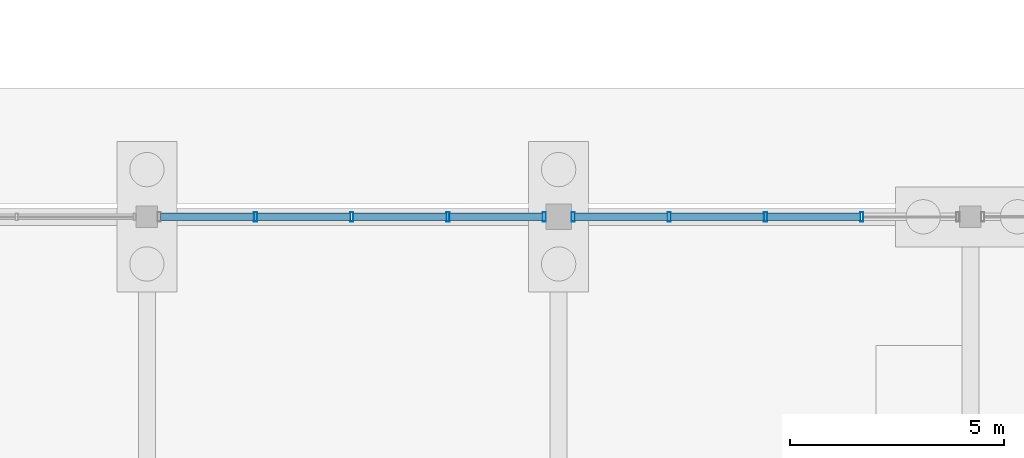
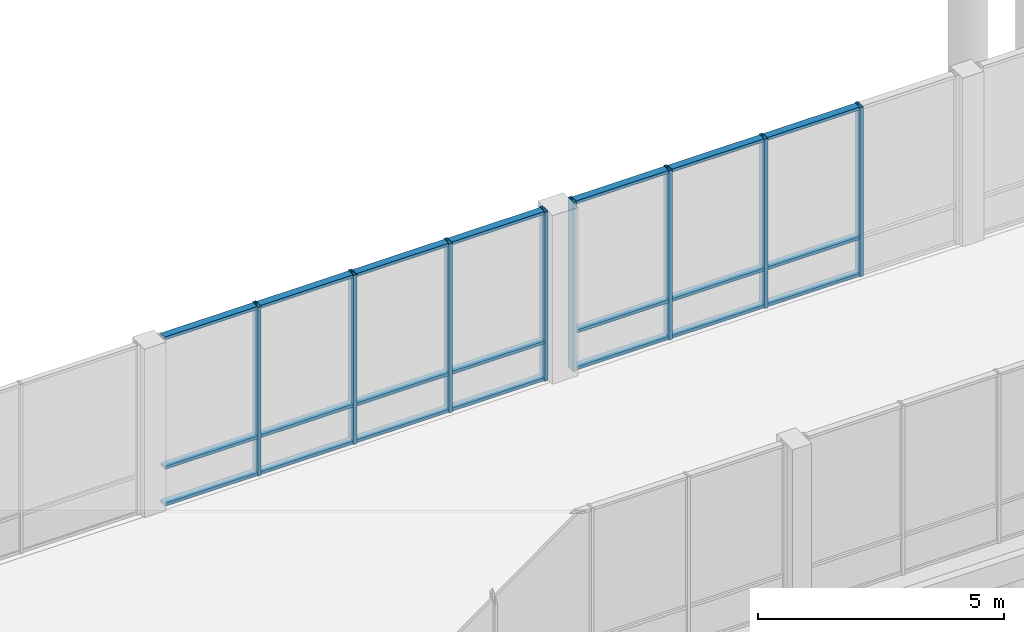
# One storey, part 59 of 104: 29 members, 2 elements without a shape of their own.
"""IFC4 building model written with IfcOpenShell, lengths in metres."""

from ifc_helpers import new_model, si_unit, direction, frame, origin, origin_2d, place, context, subcontext, project, spatial, hollow_rectangle, extrude, material, material_profile, profile_set, type_object, element, aggregate, save


model = new_model("IFC4")

# Units and contexts
model_context = context("Model", 3, precision=1e-05, world=origin(), true_north=direction((0.0, 1.0)))
body_context = subcontext(model_context, "Body", "Model", "MODEL_VIEW")
ifc_project = project(units=[si_unit("LENGTHUNIT", "METRE"), si_unit("AREAUNIT", "SQUARE_METRE"), si_unit("VOLUMEUNIT", "CUBIC_METRE"), si_unit("PLANEANGLEUNIT", "RADIAN"), si_unit("MASSUNIT", "GRAM", prefix="KILO")], contexts=[model_context])

# Site, building, storey
site_placement = place(None, origin())
site = spatial("IfcSite", under=ifc_project, at=site_placement, CompositionType="ELEMENT")
building_placement = place(site_placement, origin())
building = spatial("IfcBuilding", under=site, at=building_placement, Name="Hawrajan Terrace Health Centre", CompositionType="ELEMENT")
storey_placement = place(building_placement, origin())
storey = spatial("IfcBuildingStorey", under=building, at=storey_placement, Name="L00", CompositionType="ELEMENT", Elevation=0.0)

# Curtain wall, members
ifc_material_1 = material(Name="Anodized bronze aluminium and low-E solar glazing", Category="aluminium")
curtain_wall_type_1 = type_object("IfcCurtainWallType", Name="CW_Clerestory_SeriesG2", PredefinedType="USERDEFINED", material=ifc_material_1)
curtain_wall_1_placement = place(storey_placement, origin())
curtain_wall_1 = element("IfcCurtainWall", 1, at=curtain_wall_1_placement, inside=storey, type_object=curtain_wall_type_1, Name="Curtain wall CW-L00-041", ObjectType="UNITISED CURTAIN WALL", PredefinedType="USERDEFINED")
ifc_material_2 = material(Name="Anodized bronze aluminium 6063-T6", Category="aluminium")
ifc_material_profile_1 = material_profile(ifc_material_2, hollow_rectangle(XDim=0.074951171875, YDim=0.219970703125, WallThickness=0.0048828125, at=origin_2d()), Name="CW MUL 75x220")
ifc_profile_set_1 = profile_set([ifc_material_profile_1], Name="Anodized bronze aluminium 6063-T6")
member_type_1 = type_object("IfcMemberType", Name="CWMullion_75x220", PredefinedType="MULLION", material=ifc_profile_set_1)
member_1_placement = place(storey_placement, frame((83.931396484375, 36.800048828125, -0.0048828125), z_axis=(0.0, 0.0, 1.0), x_axis=(1.0, 0.0, 0.0)))
member_1 = element("IfcMember", 2, at=member_1_placement, type_object=member_type_1, Name="Mullion CW-L00-041-M2", PredefinedType="MULLION", context=body_context, shape_type="SweptSolid", body=[
    extrude(hollow_rectangle(XDim=0.074951171875, YDim=0.219970703125, WallThickness=0.0048828125, at=origin_2d()), origin(), (0.0, 0.0, 1.0), 4.2099609375),
])
member_2_placement = place(storey_placement, frame((86.175048828125, 36.800048828125, -0.0048828125), z_axis=(0.0, 0.0, 1.0), x_axis=(1.0, 0.0, 0.0)))
member_2 = element("IfcMember", 3, at=member_2_placement, type_object=member_type_1, Name="Mullion CW-L00-041-M3", PredefinedType="MULLION", context=body_context, shape_type="SweptSolid", body=[
    extrude(hollow_rectangle(XDim=0.074951171875, YDim=0.219970703125, WallThickness=0.0048828125, at=origin_2d()), origin(), (0.0, 0.0, 1.0), 4.2099609375),
])
member_3_placement = place(storey_placement, frame((88.418701171875, 36.800048828125, -0.0048828125), z_axis=(0.0, 0.0, 1.0), x_axis=(1.0, 0.0, 0.0)))
member_3 = element("IfcMember", 4, at=member_3_placement, type_object=member_type_1, Name="Mullion CW-L00-041-M4", PredefinedType="MULLION", context=body_context, shape_type="SweptSolid", body=[
    extrude(hollow_rectangle(XDim=0.074951171875, YDim=0.219970703125, WallThickness=0.0048828125, at=origin_2d()), origin(), (0.0, 0.0, 1.0), 4.2099609375),
])
member_4_placement = place(storey_placement, frame((90.66259765625, 36.800048828125, -0.0048828125), z_axis=(0.0, 0.0, 1.0), x_axis=(1.0, 0.0, 0.0)))
member_4 = element("IfcMember", 5, at=member_4_placement, type_object=member_type_1, Name="Mullion CW-L00-041-M5", PredefinedType="MULLION", context=body_context, shape_type="SweptSolid", body=[
    extrude(hollow_rectangle(XDim=0.074951171875, YDim=0.219970703125, WallThickness=0.0048828125, at=origin_2d()), origin(), (0.0, 0.0, 1.0), 4.2099609375),
])

curtain_wall_type_2 = type_object("IfcCurtainWallType", Name="CW_Bridge_SeriesJ1", PredefinedType="USERDEFINED", material=ifc_material_1)
curtain_wall_2_placement = place(storey_placement, origin())
curtain_wall_2 = element("IfcCurtainWall", 6, at=curtain_wall_2_placement, inside=storey, type_object=curtain_wall_type_2, Name="Curtain wall CW-L00-044", ObjectType="UNITISED CURTAIN WALL", PredefinedType="USERDEFINED")
member_5_placement = place(storey_placement, frame((91.33740234375, 36.800048828125, -0.0048828125), z_axis=(0.0, 0.0, 1.0), x_axis=(1.0, 0.0, 0.0)))
member_5 = element("IfcMember", 7, at=member_5_placement, type_object=member_type_1, Name="Mullion CW-L00-044-M1", PredefinedType="MULLION", context=body_context, shape_type="SweptSolid", body=[
    extrude(hollow_rectangle(XDim=0.074951171875, YDim=0.219970703125, WallThickness=0.0048828125, at=origin_2d()), origin(), (0.0, 0.0, 1.0), 4.2099609375),
])
member_6_placement = place(storey_placement, frame((93.581298828125, 36.800048828125, -0.0048828125), z_axis=(0.0, 0.0, 1.0), x_axis=(1.0, 0.0, 0.0)))
member_6 = element("IfcMember", 8, at=member_6_placement, type_object=member_type_1, Name="Mullion CW-L00-044-M2", PredefinedType="MULLION", context=body_context, shape_type="SweptSolid", body=[
    extrude(hollow_rectangle(XDim=0.074951171875, YDim=0.219970703125, WallThickness=0.0048828125, at=origin_2d()), origin(), (0.0, 0.0, 1.0), 4.2099609375),
])
member_7_placement = place(storey_placement, frame((95.824951171875, 36.800048828125, -0.0048828125), z_axis=(0.0, 0.0, 1.0), x_axis=(1.0, 0.0, 0.0)))
member_7 = element("IfcMember", 9, at=member_7_placement, type_object=member_type_1, Name="Mullion CW-L00-044-M3", PredefinedType="MULLION", context=body_context, shape_type="SweptSolid", body=[
    extrude(hollow_rectangle(XDim=0.074951171875, YDim=0.219970703125, WallThickness=0.0048828125, at=origin_2d()), origin(), (0.0, 0.0, 1.0), 4.2099609375),
])
member_8_placement = place(storey_placement, frame((98.068603515625, 36.800048828125, -0.0048828125), z_axis=(0.0, 0.0, 1.0), x_axis=(1.0, 0.0, 0.0)))
member_8 = element("IfcMember", 10, at=member_8_placement, type_object=member_type_1, Name="Mullion CW-L00-044-M4", PredefinedType="MULLION", context=body_context, shape_type="SweptSolid", body=[
    extrude(hollow_rectangle(XDim=0.074951171875, YDim=0.219970703125, WallThickness=0.0048828125, at=origin_2d()), origin(), (0.0, 0.0, 1.0), 4.2099609375),
])

# Member
ifc_material_profile_2 = material_profile(ifc_material_2, hollow_rectangle(XDim=0.074951171875, YDim=0.169921875, WallThickness=0.00439453125, at=origin_2d()), Name="CW TRN 75x170")
ifc_profile_set_2 = profile_set([ifc_material_profile_2], Name="Anodized bronze aluminium 6063-T6")
member_type_2 = type_object("IfcMemberType", Name="CWTransom_75x170", PredefinedType="USERDEFINED", material=ifc_profile_set_2)
member_9_placement = place(storey_placement, frame((81.718994140625, 36.800048828125, 0.03759765625), z_axis=(1.0, 0.0, 0.0), x_axis=(0.0, 0.0, 1.0)))
member_9 = element("IfcMember", 11, at=member_9_placement, type_object=member_type_2, Name="Transom CW-L00-041-T1-1", ObjectType="TRANSOM", PredefinedType="USERDEFINED", context=body_context, shape_type="SweptSolid", body=[
    extrude(hollow_rectangle(XDim=0.074951171875, YDim=0.169921875, WallThickness=0.00439453125, at=origin_2d()), origin(), (0.0, 0.0, 1.0), 2.180908203125),
])

member_10_placement = place(storey_placement, frame((81.718994140625, 36.800048828125, 0.949951171875), z_axis=(1.0, 0.0, 0.0), x_axis=(0.0, 0.0, 1.0)))
member_10 = element("IfcMember", 12, at=member_10_placement, type_object=member_type_2, Name="Transom CW-L00-041-T1-2", ObjectType="TRANSOM", PredefinedType="USERDEFINED", context=body_context, shape_type="SweptSolid", body=[
    extrude(hollow_rectangle(XDim=0.074951171875, YDim=0.169921875, WallThickness=0.00439453125, at=origin_2d()), origin(), (0.0, 0.0, 1.0), 2.180908203125),
])

member_11_placement = place(storey_placement, frame((81.718994140625, 36.800048828125, 4.16259765625), z_axis=(1.0, 0.0, 0.0), x_axis=(0.0, 0.0, 1.0)))
member_11 = element("IfcMember", 13, at=member_11_placement, type_object=member_type_2, Name="Transom CW-L00-041-T1-3", ObjectType="TRANSOM", PredefinedType="USERDEFINED", context=body_context, shape_type="SweptSolid", body=[
    extrude(hollow_rectangle(XDim=0.074951171875, YDim=0.169921875, WallThickness=0.00439453125, at=origin_2d()), origin(), (0.0, 0.0, 1.0), 2.180908203125),
])

member_12_placement = place(storey_placement, frame((83.962646484375, 36.800048828125, 0.03759765625), z_axis=(1.0, 0.0, 0.0), x_axis=(0.0, 0.0, 1.0)))
member_12 = element("IfcMember", 14, at=member_12_placement, type_object=member_type_2, Name="Transom CW-L00-041-T2-1", ObjectType="TRANSOM", PredefinedType="USERDEFINED", context=body_context, shape_type="SweptSolid", body=[
    extrude(hollow_rectangle(XDim=0.074951171875, YDim=0.169921875, WallThickness=0.00439453125, at=origin_2d()), origin(), (0.0, 0.0, 1.0), 2.180908203125),
])

member_13_placement = place(storey_placement, frame((83.962646484375, 36.800048828125, 0.949951171875), z_axis=(1.0, 0.0, 0.0), x_axis=(0.0, 0.0, 1.0)))
member_13 = element("IfcMember", 15, at=member_13_placement, type_object=member_type_2, Name="Transom CW-L00-041-T2-2", ObjectType="TRANSOM", PredefinedType="USERDEFINED", context=body_context, shape_type="SweptSolid", body=[
    extrude(hollow_rectangle(XDim=0.074951171875, YDim=0.169921875, WallThickness=0.00439453125, at=origin_2d()), origin(), (0.0, 0.0, 1.0), 2.180908203125),
])

member_14_placement = place(storey_placement, frame((83.962646484375, 36.800048828125, 4.16259765625), z_axis=(1.0, 0.0, 0.0), x_axis=(0.0, 0.0, 1.0)))
member_14 = element("IfcMember", 16, at=member_14_placement, type_object=member_type_2, Name="Transom CW-L00-041-T2-3", ObjectType="TRANSOM", PredefinedType="USERDEFINED", context=body_context, shape_type="SweptSolid", body=[
    extrude(hollow_rectangle(XDim=0.074951171875, YDim=0.169921875, WallThickness=0.00439453125, at=origin_2d()), origin(), (0.0, 0.0, 1.0), 2.180908203125),
])

member_15_placement = place(storey_placement, frame((86.20654296875, 36.800048828125, 0.03759765625), z_axis=(1.0, 0.0, 0.0), x_axis=(0.0, 0.0, 1.0)))
member_15 = element("IfcMember", 17, at=member_15_placement, type_object=member_type_2, Name="Transom CW-L00-041-T3-1", ObjectType="TRANSOM", PredefinedType="USERDEFINED", context=body_context, shape_type="SweptSolid", body=[
    extrude(hollow_rectangle(XDim=0.074951171875, YDim=0.169921875, WallThickness=0.00439453125, at=origin_2d()), origin(), (0.0, 0.0, 1.0), 2.1806640625),
])

member_16_placement = place(storey_placement, frame((86.20654296875, 36.800048828125, 0.949951171875), z_axis=(1.0, 0.0, 0.0), x_axis=(0.0, 0.0, 1.0)))
member_16 = element("IfcMember", 18, at=member_16_placement, type_object=member_type_2, Name="Transom CW-L00-041-T3-2", ObjectType="TRANSOM", PredefinedType="USERDEFINED", context=body_context, shape_type="SweptSolid", body=[
    extrude(hollow_rectangle(XDim=0.074951171875, YDim=0.169921875, WallThickness=0.00439453125, at=origin_2d()), origin(), (0.0, 0.0, 1.0), 2.1806640625),
])

member_17_placement = place(storey_placement, frame((86.20654296875, 36.800048828125, 4.16259765625), z_axis=(1.0, 0.0, 0.0), x_axis=(0.0, 0.0, 1.0)))
member_17 = element("IfcMember", 19, at=member_17_placement, type_object=member_type_2, Name="Transom CW-L00-041-T3-3", ObjectType="TRANSOM", PredefinedType="USERDEFINED", context=body_context, shape_type="SweptSolid", body=[
    extrude(hollow_rectangle(XDim=0.074951171875, YDim=0.169921875, WallThickness=0.00439453125, at=origin_2d()), origin(), (0.0, 0.0, 1.0), 2.1806640625),
])

member_18_placement = place(storey_placement, frame((88.4501953125, 36.800048828125, 0.03759765625), z_axis=(1.0, 0.0, 0.0), x_axis=(0.0, 0.0, 1.0)))
member_18 = element("IfcMember", 20, at=member_18_placement, type_object=member_type_2, Name="Transom CW-L00-041-T4-1", ObjectType="TRANSOM", PredefinedType="USERDEFINED", context=body_context, shape_type="SweptSolid", body=[
    extrude(hollow_rectangle(XDim=0.074951171875, YDim=0.169921875, WallThickness=0.00439453125, at=origin_2d()), origin(), (0.0, 0.0, 1.0), 2.180908203125),
])

member_19_placement = place(storey_placement, frame((88.4501953125, 36.800048828125, 0.949951171875), z_axis=(1.0, 0.0, 0.0), x_axis=(0.0, 0.0, 1.0)))
member_19 = element("IfcMember", 21, at=member_19_placement, type_object=member_type_2, Name="Transom CW-L00-041-T4-2", ObjectType="TRANSOM", PredefinedType="USERDEFINED", context=body_context, shape_type="SweptSolid", body=[
    extrude(hollow_rectangle(XDim=0.074951171875, YDim=0.169921875, WallThickness=0.00439453125, at=origin_2d()), origin(), (0.0, 0.0, 1.0), 2.180908203125),
])

member_20_placement = place(storey_placement, frame((88.4501953125, 36.800048828125, 4.16259765625), z_axis=(1.0, 0.0, 0.0), x_axis=(0.0, 0.0, 1.0)))
member_20 = element("IfcMember", 22, at=member_20_placement, type_object=member_type_2, Name="Transom CW-L00-041-T4-3", ObjectType="TRANSOM", PredefinedType="USERDEFINED", context=body_context, shape_type="SweptSolid", body=[
    extrude(hollow_rectangle(XDim=0.074951171875, YDim=0.169921875, WallThickness=0.00439453125, at=origin_2d()), origin(), (0.0, 0.0, 1.0), 2.180908203125),
])

aggregate(curtain_wall_1, [member_1, member_2, member_3, member_4, member_9, member_10, member_11, member_12, member_13, member_14, member_15, member_16, member_17, member_18, member_19, member_20])

member_21_placement = place(storey_placement, frame((91.368896484375, 36.800048828125, 0.03759765625), z_axis=(1.0, 0.0, 0.0), x_axis=(0.0, 0.0, 1.0)))
member_21 = element("IfcMember", 23, at=member_21_placement, type_object=member_type_2, Name="Transom CW-L00-044-T1-1", ObjectType="TRANSOM", PredefinedType="USERDEFINED", context=body_context, shape_type="SweptSolid", body=[
    extrude(hollow_rectangle(XDim=0.074951171875, YDim=0.169921875, WallThickness=0.00439453125, at=origin_2d()), origin(), (0.0, 0.0, 1.0), 2.180908203125),
])

member_22_placement = place(storey_placement, frame((91.368896484375, 36.800048828125, 0.949951171875), z_axis=(1.0, 0.0, 0.0), x_axis=(0.0, 0.0, 1.0)))
member_22 = element("IfcMember", 24, at=member_22_placement, type_object=member_type_2, Name="Transom CW-L00-044-T1-2", ObjectType="TRANSOM", PredefinedType="USERDEFINED", context=body_context, shape_type="SweptSolid", body=[
    extrude(hollow_rectangle(XDim=0.074951171875, YDim=0.169921875, WallThickness=0.00439453125, at=origin_2d()), origin(), (0.0, 0.0, 1.0), 2.180908203125),
])

member_23_placement = place(storey_placement, frame((91.368896484375, 36.800048828125, 4.16259765625), z_axis=(1.0, 0.0, 0.0), x_axis=(0.0, 0.0, 1.0)))
member_23 = element("IfcMember", 25, at=member_23_placement, type_object=member_type_2, Name="Transom CW-L00-044-T1-3", ObjectType="TRANSOM", PredefinedType="USERDEFINED", context=body_context, shape_type="SweptSolid", body=[
    extrude(hollow_rectangle(XDim=0.074951171875, YDim=0.169921875, WallThickness=0.00439453125, at=origin_2d()), origin(), (0.0, 0.0, 1.0), 2.180908203125),
])

member_24_placement = place(storey_placement, frame((93.61279296875, 36.800048828125, 0.03759765625), z_axis=(1.0, 0.0, 0.0), x_axis=(0.0, 0.0, 1.0)))
member_24 = element("IfcMember", 26, at=member_24_placement, type_object=member_type_2, Name="Transom CW-L00-044-T2-1", ObjectType="TRANSOM", PredefinedType="USERDEFINED", context=body_context, shape_type="SweptSolid", body=[
    extrude(hollow_rectangle(XDim=0.074951171875, YDim=0.169921875, WallThickness=0.00439453125, at=origin_2d()), origin(), (0.0, 0.0, 1.0), 2.1806640625),
])

member_25_placement = place(storey_placement, frame((93.61279296875, 36.800048828125, 0.949951171875), z_axis=(1.0, 0.0, 0.0), x_axis=(0.0, 0.0, 1.0)))
member_25 = element("IfcMember", 27, at=member_25_placement, type_object=member_type_2, Name="Transom CW-L00-044-T2-2", ObjectType="TRANSOM", PredefinedType="USERDEFINED", context=body_context, shape_type="SweptSolid", body=[
    extrude(hollow_rectangle(XDim=0.074951171875, YDim=0.169921875, WallThickness=0.00439453125, at=origin_2d()), origin(), (0.0, 0.0, 1.0), 2.1806640625),
])

member_26_placement = place(storey_placement, frame((93.61279296875, 36.800048828125, 4.16259765625), z_axis=(1.0, 0.0, 0.0), x_axis=(0.0, 0.0, 1.0)))
member_26 = element("IfcMember", 28, at=member_26_placement, type_object=member_type_2, Name="Transom CW-L00-044-T2-3", ObjectType="TRANSOM", PredefinedType="USERDEFINED", context=body_context, shape_type="SweptSolid", body=[
    extrude(hollow_rectangle(XDim=0.074951171875, YDim=0.169921875, WallThickness=0.00439453125, at=origin_2d()), origin(), (0.0, 0.0, 1.0), 2.1806640625),
])

member_27_placement = place(storey_placement, frame((95.8564453125, 36.800048828125, 0.03759765625), z_axis=(1.0, 0.0, 0.0), x_axis=(0.0, 0.0, 1.0)))
member_27 = element("IfcMember", 29, at=member_27_placement, type_object=member_type_2, Name="Transom CW-L00-044-T3-1", ObjectType="TRANSOM", PredefinedType="USERDEFINED", context=body_context, shape_type="SweptSolid", body=[
    extrude(hollow_rectangle(XDim=0.074951171875, YDim=0.169921875, WallThickness=0.00439453125, at=origin_2d()), origin(), (0.0, 0.0, 1.0), 2.180908203125),
])

member_28_placement = place(storey_placement, frame((95.8564453125, 36.800048828125, 0.949951171875), z_axis=(1.0, 0.0, 0.0), x_axis=(0.0, 0.0, 1.0)))
member_28 = element("IfcMember", 30, at=member_28_placement, type_object=member_type_2, Name="Transom CW-L00-044-T3-2", ObjectType="TRANSOM", PredefinedType="USERDEFINED", context=body_context, shape_type="SweptSolid", body=[
    extrude(hollow_rectangle(XDim=0.074951171875, YDim=0.169921875, WallThickness=0.00439453125, at=origin_2d()), origin(), (0.0, 0.0, 1.0), 2.180908203125),
])

member_29_placement = place(storey_placement, frame((95.8564453125, 36.800048828125, 4.16259765625), z_axis=(1.0, 0.0, 0.0), x_axis=(0.0, 0.0, 1.0)))
member_29 = element("IfcMember", 31, at=member_29_placement, type_object=member_type_2, Name="Transom CW-L00-044-T3-3", ObjectType="TRANSOM", PredefinedType="USERDEFINED", context=body_context, shape_type="SweptSolid", body=[
    extrude(hollow_rectangle(XDim=0.074951171875, YDim=0.169921875, WallThickness=0.00439453125, at=origin_2d()), origin(), (0.0, 0.0, 1.0), 2.180908203125),
])

aggregate(curtain_wall_2, [member_5, member_6, member_7, member_8, member_21, member_22, member_23, member_24, member_25, member_26, member_27, member_28, member_29])

save(model, "model.ifc")
